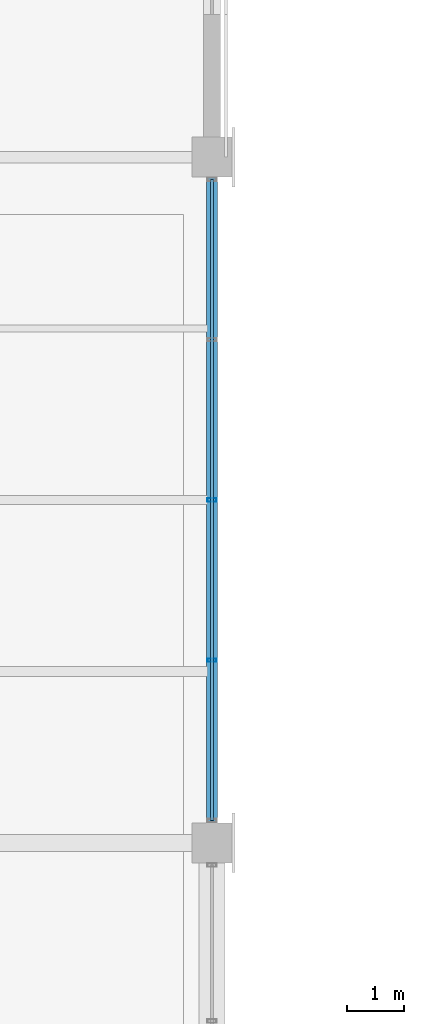
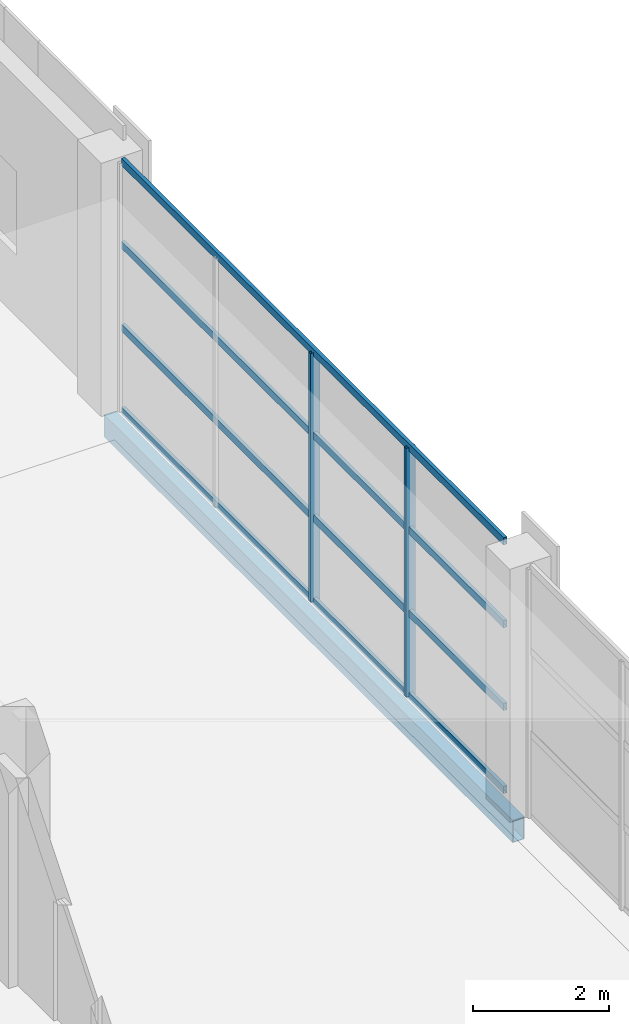
# One storey, part 21 of 101: 6 members, 1 beam, 1 element without a shape of its own.
"""IFC4 building model written with IfcOpenShell, lengths in metres."""

from ifc_helpers import new_model, si_unit, direction, frame, origin, origin_2d, place, context, subcontext, project, spatial, hollow_rectangle, extrude, material, material_profile, profile_set, type_object, element, aggregate, save


model = new_model("IFC4")

# Units and contexts
model_context = context("Model", 3, precision=1e-05, world=origin(), true_north=direction((0.0, 1.0)))
body_context = subcontext(model_context, "Body", "Model", "MODEL_VIEW")
ifc_project = project(units=[si_unit("LENGTHUNIT", "METRE"), si_unit("AREAUNIT", "SQUARE_METRE"), si_unit("VOLUMEUNIT", "CUBIC_METRE"), si_unit("PLANEANGLEUNIT", "RADIAN"), si_unit("MASSUNIT", "GRAM", prefix="KILO")], contexts=[model_context])

# Site, building, storey
site_placement = place(None, origin())
site = spatial("IfcSite", under=ifc_project, at=site_placement, CompositionType="ELEMENT")
building_placement = place(site_placement, origin())
building = spatial("IfcBuilding", under=site, at=building_placement, Name="Solvikara Media Centre", CompositionType="ELEMENT")
storey_placement = place(building_placement, frame((0.0, 0.0, 10.199951171875)))
storey = spatial("IfcBuildingStorey", under=building, at=storey_placement, Name="L02", CompositionType="ELEMENT", Elevation=10.199951171875)

# Beam
ifc_material_1 = material(Name="Steel S355JR", Category="steel")
ifc_material_profile_1 = material_profile(ifc_material_1, hollow_rectangle(XDim=0.199951171875, YDim=0.39990234375, WallThickness=0.011962890625, at=origin_2d()), Name="RHS 400x200x12")
ifc_profile_set_1 = profile_set([ifc_material_profile_1], Name="Steel S355JR")
beam_type = type_object("IfcBeamType", Name="BM-33", PredefinedType="SPANDREL", material=ifc_profile_set_1)
beam_placement = place(storey_placement, frame((34.0, 56.5, -0.4619140625), z_axis=(0.0, 1.0, 0.0), x_axis=(-1.0, 0.0, 0.0)))
element("IfcBeam", 1, at=beam_placement, inside=storey, type_object=beam_type, Name="B-L02-Y0951", PredefinedType="SPANDREL", context=body_context, shape_type="SweptSolid", body=[
    extrude(hollow_rectangle(XDim=0.199951171875, YDim=0.39990234375, WallThickness=0.011962890625, at=origin_2d()), origin(), (0.0, 0.0, 1.0), 12.0),
])

# Curtain wall, members
ifc_material_2 = material(Name="Anodised aluminium EN AW-6063", Category="aluminium")
curtain_wall_type = type_object("IfcCurtainWallType", Name="CW-07", PredefinedType="NOTDEFINED", material=ifc_material_2)
curtain_wall_placement = place(storey_placement, origin())
curtain_wall = element("IfcCurtainWall", 2, at=curtain_wall_placement, inside=storey, type_object=curtain_wall_type, Name="CW-L02-V4E-S2", PredefinedType="NOTDEFINED")
ifc_material_profile_2 = material_profile(ifc_material_2, hollow_rectangle(XDim=0.06005859375, YDim=0.159912109375, WallThickness=0.00341796875, at=origin_2d()), Name="ALU-M 60x160x3.5")
ifc_profile_set_2 = profile_set([ifc_material_profile_2], Name="Anodised aluminium EN AW-6063")
member_type_1 = type_object("IfcMemberType", Name="MF-04", PredefinedType="MULLION", material=ifc_profile_set_2)
member_1_placement = place(storey_placement, frame((34.0, 59.695068359375, 0.02001953125), z_axis=(0.0, 0.0, 1.0), x_axis=(0.0, 1.0, 0.0)))
member_1 = element("IfcMember", 3, at=member_1_placement, type_object=member_type_1, Name="CW-L02-V4E-S2-M01", PredefinedType="MULLION", context=body_context, shape_type="SweptSolid", body=[
    extrude(hollow_rectangle(XDim=0.06005859375, YDim=0.159912109375, WallThickness=0.00341796875, at=origin_2d()), origin(), (0.0, 0.0, 1.0), 4.4599609375),
])
member_2_placement = place(storey_placement, frame((34.0, 62.5, 0.02001953125), z_axis=(0.0, 0.0, 1.0), x_axis=(0.0, 1.0, 0.0)))
member_2 = element("IfcMember", 4, at=member_2_placement, type_object=member_type_1, Name="CW-L02-V4E-S2-M02", PredefinedType="MULLION", context=body_context, shape_type="SweptSolid", body=[
    extrude(hollow_rectangle(XDim=0.06005859375, YDim=0.159912109375, WallThickness=0.00341796875, at=origin_2d()), origin(), (0.0, 0.0, 1.0), 4.4599609375),
])
ifc_material_profile_3 = material_profile(ifc_material_2, hollow_rectangle(XDim=0.06005859375, YDim=0.1298828125, WallThickness=0.0029296875, at=origin_2d()), Name="ALU-T 60x130x3")
ifc_profile_set_3 = profile_set([ifc_material_profile_3], Name="Anodised aluminium EN AW-6063")
member_type_2 = type_object("IfcMemberType", Name="MF-10", PredefinedType="USERDEFINED", material=ifc_profile_set_3)
member_3_placement = place(storey_placement, frame((34.0, 56.889892578125, 0.02001953125), z_axis=(0.0, 1.0, 0.0), x_axis=(-1.0, 0.0, 0.0)))
member_3 = element("IfcMember", 5, at=member_3_placement, type_object=member_type_2, Name="CW-L02-V4E-S2-T00", ObjectType="TRANSOM", PredefinedType="USERDEFINED", context=body_context, shape_type="SweptSolid", body=[
    extrude(hollow_rectangle(XDim=0.06005859375, YDim=0.1298828125, WallThickness=0.0029296875, at=origin_2d()), origin(), (0.0, 0.0, 1.0), 11.22021484375),
])
member_4_placement = place(storey_placement, frame((34.0, 56.889892578125, 1.507080078125), z_axis=(0.0, 1.0, 0.0), x_axis=(-1.0, 0.0, 0.0)))
member_4 = element("IfcMember", 6, at=member_4_placement, type_object=member_type_2, Name="CW-L02-V4E-S2-T01", ObjectType="TRANSOM", PredefinedType="USERDEFINED", context=body_context, shape_type="SweptSolid", body=[
    extrude(hollow_rectangle(XDim=0.06005859375, YDim=0.1298828125, WallThickness=0.0029296875, at=origin_2d()), origin(), (0.0, 0.0, 1.0), 11.22021484375),
])
member_5_placement = place(storey_placement, frame((34.0, 56.889892578125, 2.9931640625), z_axis=(0.0, 1.0, 0.0), x_axis=(-1.0, 0.0, 0.0)))
member_5 = element("IfcMember", 7, at=member_5_placement, type_object=member_type_2, Name="CW-L02-V4E-S2-T02", ObjectType="TRANSOM", PredefinedType="USERDEFINED", context=body_context, shape_type="SweptSolid", body=[
    extrude(hollow_rectangle(XDim=0.06005859375, YDim=0.1298828125, WallThickness=0.0029296875, at=origin_2d()), origin(), (0.0, 0.0, 1.0), 11.22021484375),
])
member_6_placement = place(storey_placement, frame((34.0, 56.889892578125, 4.47998046875), z_axis=(0.0, 1.0, 0.0), x_axis=(-1.0, 0.0, 0.0)))
member_6 = element("IfcMember", 8, at=member_6_placement, type_object=member_type_2, Name="CW-L02-V4E-S2-T03", ObjectType="TRANSOM", PredefinedType="USERDEFINED", context=body_context, shape_type="SweptSolid", body=[
    extrude(hollow_rectangle(XDim=0.06005859375, YDim=0.1298828125, WallThickness=0.0029296875, at=origin_2d()), origin(), (0.0, 0.0, 1.0), 11.22021484375),
])
aggregate(curtain_wall, [member_1, member_2, member_3, member_4, member_5, member_6])

save(model, "model.ifc")
